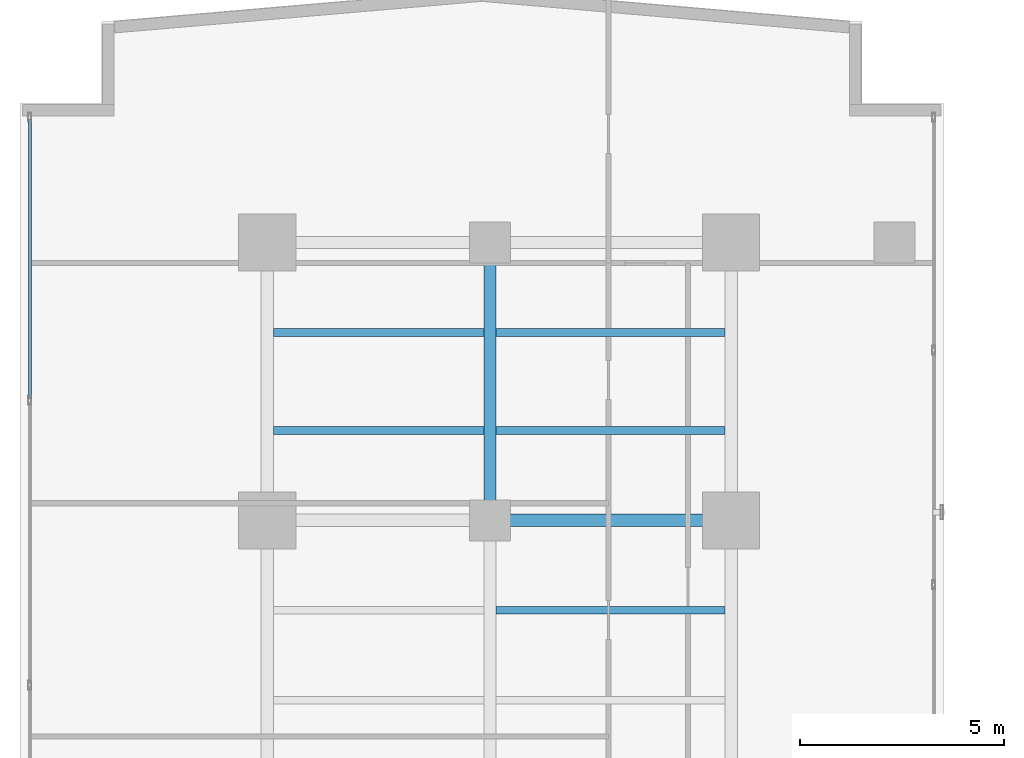
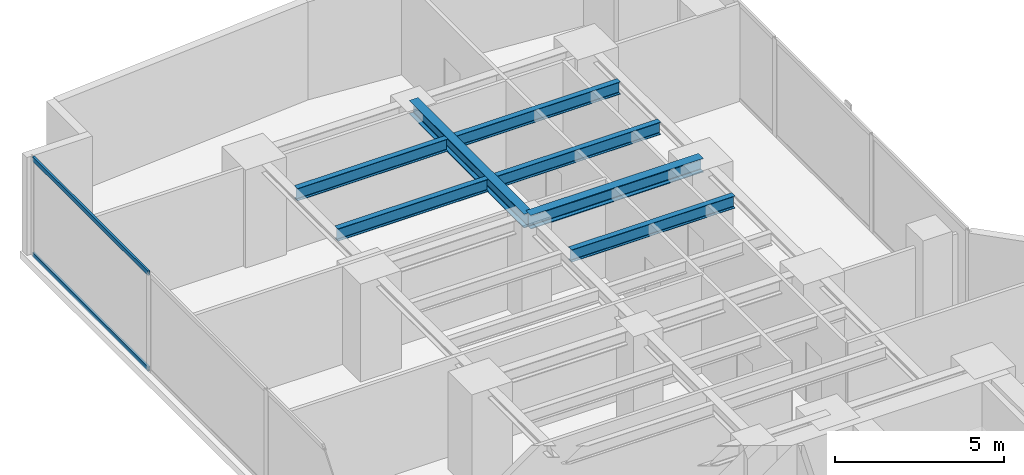
# One storey, part 17 of 26: 7 beams, 2 members, 1 element without a shape of its own.
"""IFC4 building model written with IfcOpenShell, lengths in metres."""

from ifc_helpers import new_model, si_unit, direction, frame, origin, origin_with_axes, origin_2d, place, context, subcontext, project, spatial, hollow_rectangle, i_section, extrude, source, transform, mapped, material, layer, layer_set, material_profile, profile_set, type_object, element, aggregate, save


model = new_model("IFC4")

# Units and contexts
model_context = context("Model", 3, precision=1e-05, world=origin(), true_north=direction((0.0, 1.0)))
body_context = subcontext(model_context, "Body", "Model", "MODEL_VIEW")
ifc_project = project(units=[si_unit("LENGTHUNIT", "METRE"), si_unit("AREAUNIT", "SQUARE_METRE"), si_unit("VOLUMEUNIT", "CUBIC_METRE"), si_unit("PLANEANGLEUNIT", "RADIAN"), si_unit("MASSUNIT", "GRAM", prefix="KILO")], contexts=[model_context])

# Site, building, storey
site_placement = place(None, origin())
site = spatial("IfcSite", under=ifc_project, at=site_placement, CompositionType="ELEMENT")
building_placement = place(site_placement, origin())
building = spatial("IfcBuilding", under=site, at=building_placement, Name="Kolvaren Waterfront Exchange", CompositionType="ELEMENT")
storey_placement = place(building_placement, frame((0.0, 0.0, 99.300048828125)))
storey = spatial("IfcBuildingStorey", under=building, at=storey_placement, Name="L25", CompositionType="ELEMENT", Elevation=99.300048828125)

# Beams
ifc_material_1 = material(Name="Steel S355", Category="steel")
ifc_material_profile_1 = material_profile(ifc_material_1, i_section(OverallWidth=0.300048828125, OverallDepth=0.5, WebThickness=0.014404296875, FlangeThickness=0.028076171875, FilletRadius=0.027099609375, at=origin_2d()), Name="HEB500")
ifc_profile_set_1 = profile_set([ifc_material_profile_1], Name="Steel S355")
beam_type_1 = type_object("IfcBeamType", Name="STR-BM-HEB500", PredefinedType="BEAM", material=ifc_profile_set_1)
beam_1_placement = place(storey_placement, frame((12.89990234375, 37.800048828125, 3.2900390625), z_axis=(1.0, 0.0, 0.0), x_axis=(0.0, 1.0, 0.0)))
element("IfcBeam", 1, at=beam_1_placement, inside=storey, type_object=beam_type_1, Name="L25 north-arm girder 3B", PredefinedType="BEAM", context=body_context, shape_type="SweptSolid", body=[
    extrude(i_section(OverallWidth=0.300048828125, OverallDepth=0.5, WebThickness=0.014404296875, FlangeThickness=0.028076171875, FilletRadius=0.027099609375, at=origin_2d()), origin(), (0.0, 0.0, 1.0), 5.900146484375),
])
beam_2_placement = place(storey_placement, frame((12.89990234375, 37.800048828125, 3.2900390625), z_axis=(0.0, 1.0, 0.0), x_axis=(-1.0, 0.0, 0.0)))
element("IfcBeam", 2, at=beam_2_placement, inside=storey, type_object=beam_type_1, Name="L25 north-arm edge beam 3", PredefinedType="BEAM", context=body_context, shape_type="SweptSolid", body=[
    extrude(i_section(OverallWidth=0.300048828125, OverallDepth=0.5, WebThickness=0.014404296875, FlangeThickness=0.028076171875, FilletRadius=0.027099609375, at=origin_2d()), origin(), (0.0, 0.0, 1.0), 6.800048828125),
])
ifc_material_profile_2 = material_profile(ifc_material_1, i_section(OverallWidth=0.18994140625, OverallDepth=0.449951171875, WebThickness=0.009521484375, FlangeThickness=0.0146484375, FilletRadius=0.02099609375, at=origin_2d()), Name="IPE450")
ifc_profile_set_2 = profile_set([ifc_material_profile_2], Name="Steel S355")
beam_type_2 = type_object("IfcBeamType", Name="STR-BM-IPE450", PredefinedType="JOIST", material=ifc_profile_set_2)
beam_3_placement = place(storey_placement, frame((13.052001953125, 35.60009765625, 3.31494140625), z_axis=(1.0, 0.0, 0.0), x_axis=(0.0, 1.0, 0.0)))
element("IfcBeam", 3, at=beam_3_placement, inside=storey, type_object=beam_type_2, Name="L25 north-arm composite joist 4B", PredefinedType="JOIST", context=body_context, shape_type="SweptSolid", body=[
    extrude(i_section(OverallWidth=0.18994140625, OverallDepth=0.449951171875, WebThickness=0.009521484375, FlangeThickness=0.0146484375, FilletRadius=0.02099609375, at=origin_2d()), origin(), (0.0, 0.0, 1.0), 5.595947265625),
])
beam_4_placement = place(storey_placement, frame((7.60205078125, 40.0, 3.31494140625), z_axis=(1.0, 0.0, 0.0), x_axis=(0.0, 1.0, 0.0)))
element("IfcBeam", 4, at=beam_4_placement, inside=storey, type_object=beam_type_2, Name="L25 north-arm composite joist 5A", PredefinedType="JOIST", context=body_context, shape_type="SweptSolid", body=[
    extrude(i_section(OverallWidth=0.18994140625, OverallDepth=0.449951171875, WebThickness=0.009521484375, FlangeThickness=0.0146484375, FilletRadius=0.02099609375, at=origin_2d()), origin(), (0.0, 0.0, 1.0), 5.14599609375),
])
beam_5_placement = place(storey_placement, frame((13.052001953125, 40.0, 3.31494140625), z_axis=(1.0, 0.0, 0.0), x_axis=(0.0, 1.0, 0.0)))
element("IfcBeam", 5, at=beam_5_placement, inside=storey, type_object=beam_type_2, Name="L25 north-arm composite joist 5B", PredefinedType="JOIST", context=body_context, shape_type="SweptSolid", body=[
    extrude(i_section(OverallWidth=0.18994140625, OverallDepth=0.449951171875, WebThickness=0.009521484375, FlangeThickness=0.0146484375, FilletRadius=0.02099609375, at=origin_2d()), origin(), (0.0, 0.0, 1.0), 5.595947265625),
])
beam_6_placement = place(storey_placement, frame((7.60205078125, 42.39990234375, 3.31494140625), z_axis=(1.0, 0.0, 0.0), x_axis=(0.0, 1.0, 0.0)))
element("IfcBeam", 6, at=beam_6_placement, inside=storey, type_object=beam_type_2, Name="L25 north-arm composite joist 6A", PredefinedType="JOIST", context=body_context, shape_type="SweptSolid", body=[
    extrude(i_section(OverallWidth=0.18994140625, OverallDepth=0.449951171875, WebThickness=0.009521484375, FlangeThickness=0.0146484375, FilletRadius=0.02099609375, at=origin_2d()), origin(), (0.0, 0.0, 1.0), 5.14599609375),
])
beam_7_placement = place(storey_placement, frame((13.052001953125, 42.39990234375, 3.31494140625), z_axis=(1.0, 0.0, 0.0), x_axis=(0.0, 1.0, 0.0)))
element("IfcBeam", 7, at=beam_7_placement, inside=storey, type_object=beam_type_2, Name="L25 north-arm composite joist 6B", PredefinedType="JOIST", context=body_context, shape_type="SweptSolid", body=[
    extrude(i_section(OverallWidth=0.18994140625, OverallDepth=0.449951171875, WebThickness=0.009521484375, FlangeThickness=0.0146484375, FilletRadius=0.02099609375, at=origin_2d()), origin(), (0.0, 0.0, 1.0), 5.595947265625),
])

# Curtain wall, members
ifc_material_2 = material(Name="Anodised aluminium 6063-T6", Category="aluminium")
ifc_layer = layer(ifc_material_2, 0.219970703125, Name="Anodised aluminium 6063-T6")
ifc_layer_set = layer_set([ifc_layer], Name="Anodised aluminium 6063-T6")
curtain_wall_type = type_object("IfcCurtainWallType", Name="ARC-CW-SYS2", PredefinedType="USERDEFINED", material=ifc_layer_set)
curtain_wall_placement = place(storey_placement, origin())
curtain_wall = element("IfcCurtainWall", 8, at=curtain_wall_placement, inside=storey, type_object=curtain_wall_type, Name="L25 stick curtain wall CW2 (CW-L25-W)", ObjectType="STICK CURTAIN WALL", PredefinedType="USERDEFINED")
ifc_material_profile_3 = material_profile(ifc_material_2, hollow_rectangle(XDim=0.074951171875, YDim=0.159912109375, WallThickness=0.00439453125, at=origin_2d()), Name="ALU-TRN-160x75x4.5")
ifc_profile_set_3 = profile_set([ifc_material_profile_3], Name="Anodised aluminium 6063-T6")
member_type = type_object("IfcMemberType", Name="ARC-CWT-160", PredefinedType="USERDEFINED", material=ifc_profile_set_3)
shared_shape = source(origin_with_axes(), body_context, "Body", "SweptSolid", [
    extrude(hollow_rectangle(XDim=0.074951171875, YDim=0.159912109375, WallThickness=0.00439453125, at=origin_2d()), origin(), (0.0, 0.0, 1.0), 6.8466796875),
])
member_1_placement = place(storey_placement, frame((1.639892578125, 40.7734375, 0.037353515625), z_axis=(0.0, 1.0, 0.0), x_axis=(-1.0, 0.0, 0.0)))
member_1 = element("IfcMember", 9, at=member_1_placement, type_object=member_type, Name="CW2 transom 6.1", ObjectType="TRANSOM", PredefinedType="USERDEFINED", context=body_context, shape_type="MappedRepresentation", body=[
    mapped(shared_shape, transform((0.0, 0.0, 0.0), x_axis=(1.0, 0.0, 0.0), y_axis=(0.0, 1.0, 0.0), z_axis=(0.0, 0.0, 1.0), scale=1.0)),
])
member_2_placement = place(storey_placement, frame((1.639892578125, 40.7734375, 3.50244140625), z_axis=(0.0, 1.0, 0.0), x_axis=(-1.0, 0.0, 0.0)))
member_2 = element("IfcMember", 10, at=member_2_placement, type_object=member_type, Name="CW2 transom 6.2", ObjectType="TRANSOM", PredefinedType="USERDEFINED", context=body_context, shape_type="MappedRepresentation", body=[
    mapped(shared_shape, transform((0.0, 0.0, 0.0), x_axis=(1.0, 0.0, 0.0), y_axis=(0.0, 1.0, 0.0), z_axis=(0.0, 0.0, 1.0), scale=1.0)),
])
aggregate(curtain_wall, [member_1, member_2])

save(model, "model.ifc")
